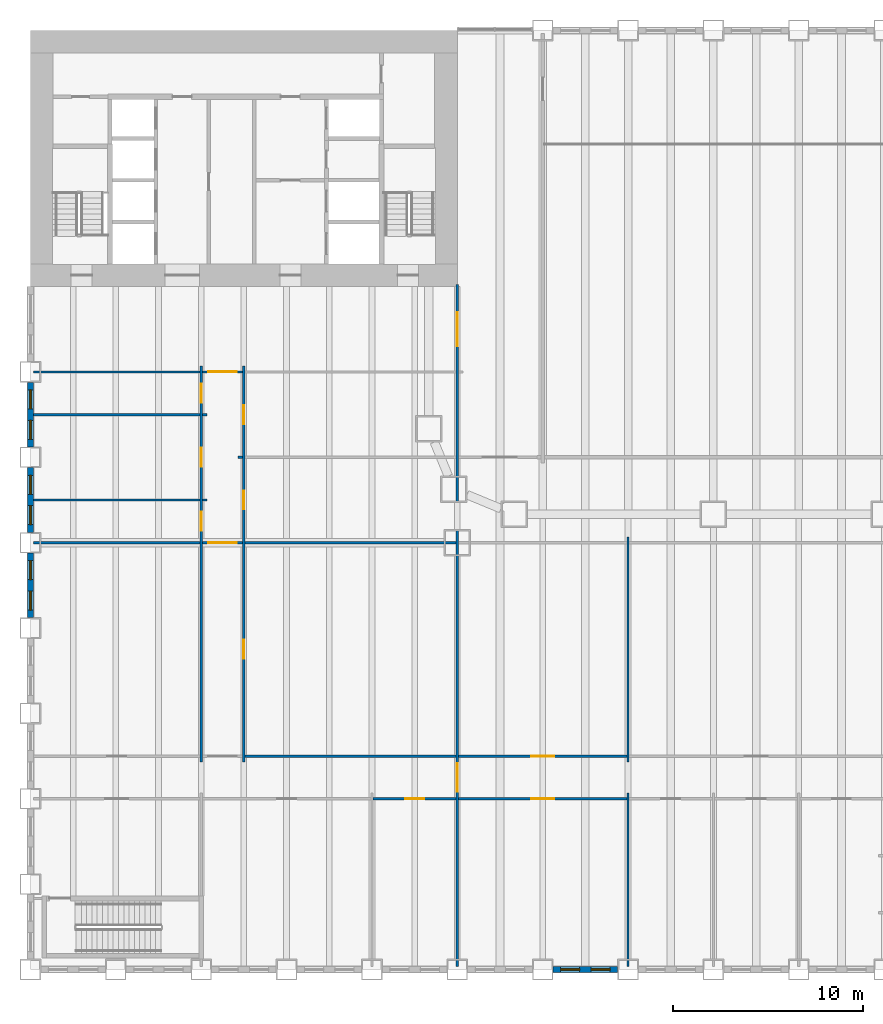
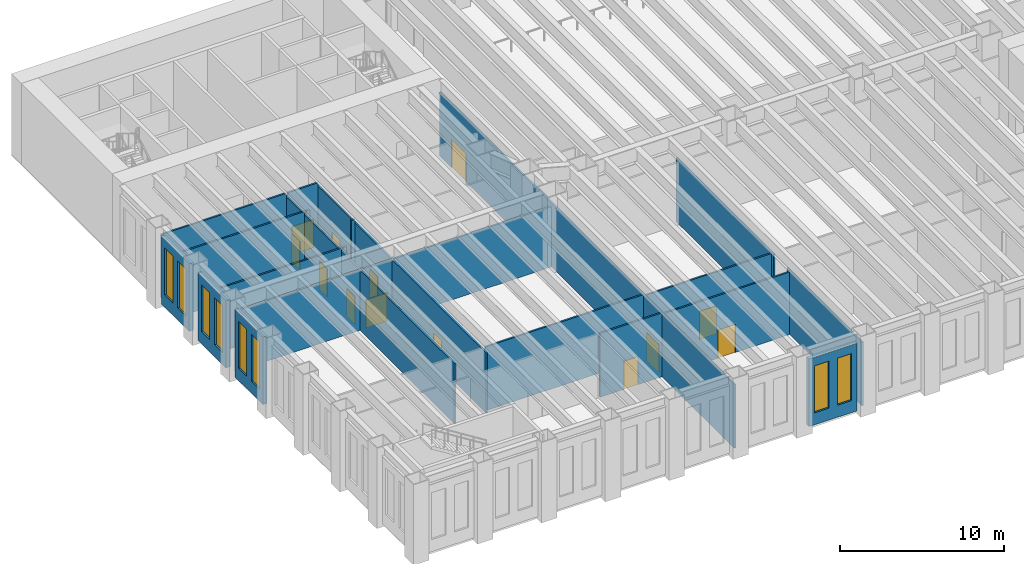
# One storey, part 7 of 19: 23 walls, 13 doors, 8 windows, 21 openings.
"""IFC4 building model written with IfcOpenShell, lengths in metres."""

from ifc_helpers import new_model, si_unit, direction, frame, frame_2d, origin, place, context, subcontext, project, spatial, rectangle, extrude, material, layer, layer_set, type_object, element, fill, save


model = new_model("IFC4")

# Units and contexts
model_context = context("Model", 3, precision=1e-05, world=origin(), true_north=direction((0.0, 1.0)))
body_context = subcontext(model_context, "Body", "Model", "MODEL_VIEW")
ifc_project = project(units=[si_unit("LENGTHUNIT", "METRE"), si_unit("AREAUNIT", "SQUARE_METRE"), si_unit("VOLUMEUNIT", "CUBIC_METRE"), si_unit("PLANEANGLEUNIT", "RADIAN"), si_unit("MASSUNIT", "GRAM", prefix="KILO")], contexts=[model_context])

# Site, building, storey
site_placement = place(None, origin())
site = spatial("IfcSite", under=ifc_project, at=site_placement, CompositionType="ELEMENT")
building_placement = place(site_placement, origin())
building = spatial("IfcBuilding", under=site, at=building_placement, Name="Sennacour Bend Tower", CompositionType="ELEMENT")
storey_placement = place(building_placement, frame((0.0, 0.0, 8.0)))
storey = spatial("IfcBuildingStorey", under=building, at=storey_placement, Name="L01", CompositionType="ELEMENT", Elevation=8.0)

# Wall, openings, doors
ifc_material_1 = material(Name="Plasterboard partition on steel studs", Category="steel")
ifc_layer_1 = layer(ifc_material_1, 0.1201171875, Name="Plasterboard partition on steel studs", Category="steel")
ifc_layer_set_1 = layer_set([ifc_layer_1], Name="Plasterboard partition on steel studs")
wall_type_1 = type_object("IfcWallType", Name="Partition 120", PredefinedType="PARTITIONING", material=ifc_layer_set_1)
wall_1_placement = place(storey_placement, frame((9.0, 10.949951171875, 0.0), z_axis=(0.0, 0.0, 1.0), x_axis=(0.0, 1.0, 0.0)))
wall_1 = element("IfcWall", 1, at=wall_1_placement, inside=storey, type_object=wall_type_1, Name="P-L01-W009a", PredefinedType="PARTITIONING", context=body_context, shape_type="SweptSolid", body=[
    extrude(rectangle(XDim=20.85009765625, YDim=0.1201171875, at=frame_2d((10.425048828125, 0.0))), origin(), (0.0, 0.0, 1.0), 4.5),
])
opening_1_placement = place(wall_1_placement, frame((12.175048828125, 0.0, 0.0)))
opening_1 = element("IfcOpeningElement", 2, at=opening_1_placement, cuts=wall_1, Name="Opening MD2", PredefinedType="OPENING", context=body_context, shape_type="SweptSolid", body=[
    extrude(rectangle(XDim=1.0, YDim=2.10009765625, at=frame_2d((0.5, 1.050048828125))), frame((0.0, 0.070068359375, 0.0), z_axis=(0.0, -1.0, 0.0), x_axis=(1.0, 0.0, 0.0)), (0.0, 0.0, 1.0), 0.14013671875),
])
opening_2_placement = place(wall_1_placement, frame((15.550048828125, 0.0, 0.0)))
opening_2 = element("IfcOpeningElement", 3, at=opening_2_placement, cuts=wall_1, Name="Opening OD2", PredefinedType="OPENING", context=body_context, shape_type="SweptSolid", body=[
    extrude(rectangle(XDim=1.0, YDim=2.10009765625, at=frame_2d((0.5, 1.050048828125))), frame((0.0, 0.070068359375, 0.0), z_axis=(0.0, -1.0, 0.0), x_axis=(1.0, 0.0, 0.0)), (0.0, 0.0, 1.0), 0.14013671875),
])
opening_3_placement = place(wall_1_placement, frame((18.925048828125, 0.0, 0.0)))
opening_3 = element("IfcOpeningElement", 4, at=opening_3_placement, cuts=wall_1, Name="Opening OD2", PredefinedType="OPENING", context=body_context, shape_type="SweptSolid", body=[
    extrude(rectangle(XDim=1.0, YDim=2.10009765625, at=frame_2d((0.5, 1.050048828125))), frame((0.0, 0.070068359375, 0.0), z_axis=(0.0, -1.0, 0.0), x_axis=(1.0, 0.0, 0.0)), (0.0, 0.0, 1.0), 0.14013671875),
])
ifc_material_2 = material(Name="Timber", Category="wood")
door_type_1 = type_object("IfcDoorType", Name="DR-MEETING-1000", OperationType="NOTDEFINED", PredefinedType="DOOR", material=ifc_material_2)
door_1_placement = place(opening_1_placement, origin())
door_1 = element("IfcDoor", 5, at=door_1_placement, inside=storey, type_object=door_type_1, Name="Door", OperationType="SINGLE_SWING_RIGHT", OverallHeight=2.10009765625, OverallWidth=1.0, PredefinedType="DOOR", context=body_context, shape_type="SweptSolid", body=[
    extrude(rectangle(XDim=1.0, YDim=2.10009765625, at=frame_2d((0.5, 1.050048828125))), frame((0.0, 0.02490234375, 0.0), z_axis=(0.0, -1.0, 0.0), x_axis=(1.0, 0.0, 0.0)), (0.0, 0.0, 1.0), 0.050048828125),
])
fill(opening_1, door_1)
door_type_2 = type_object("IfcDoorType", Name="DR-OFFICE-1000", OperationType="NOTDEFINED", PredefinedType="DOOR", material=ifc_material_2)
door_2_placement = place(opening_2_placement, origin())
door_2 = element("IfcDoor", 6, at=door_2_placement, inside=storey, type_object=door_type_2, Name="Door", OperationType="SINGLE_SWING_RIGHT", OverallHeight=2.10009765625, OverallWidth=1.0, PredefinedType="DOOR", context=body_context, shape_type="SweptSolid", body=[
    extrude(rectangle(XDim=1.0, YDim=2.10009765625, at=frame_2d((0.5, 1.050048828125))), frame((0.0, 0.02490234375, 0.0), z_axis=(0.0, -1.0, 0.0), x_axis=(1.0, 0.0, 0.0)), (0.0, 0.0, 1.0), 0.050048828125),
])
fill(opening_2, door_2)
door_3_placement = place(opening_3_placement, origin())
door_3 = element("IfcDoor", 7, at=door_3_placement, inside=storey, type_object=door_type_2, Name="Door", OperationType="SINGLE_SWING_RIGHT", OverallHeight=2.10009765625, OverallWidth=1.0, PredefinedType="DOOR", context=body_context, shape_type="SweptSolid", body=[
    extrude(rectangle(XDim=1.0, YDim=2.10009765625, at=frame_2d((0.5, 1.050048828125))), frame((0.0, 0.02490234375, 0.0), z_axis=(0.0, -1.0, 0.0), x_axis=(1.0, 0.0, 0.0)), (0.0, 0.0, 1.0), 0.050048828125),
])
fill(opening_3, door_3)

wall_2_placement = place(storey_placement, frame((11.25, 10.949951171875, 0.0), z_axis=(0.0, 0.0, 1.0), x_axis=(0.0, 1.0, 0.0)))
wall_2 = element("IfcWall", 8, at=wall_2_placement, inside=storey, type_object=wall_type_1, Name="P-L01-W011a", PredefinedType="PARTITIONING", context=body_context, shape_type="SweptSolid", body=[
    extrude(rectangle(XDim=20.85009765625, YDim=0.1201171875, at=frame_2d((10.425048828125, 0.0))), origin(), (0.0, 0.0, 1.0), 4.5),
])
opening_4_placement = place(wall_2_placement, frame((5.425048828125, 0.0, 0.0)))
opening_4 = element("IfcOpeningElement", 9, at=opening_4_placement, cuts=wall_2, Name="Opening OD2", PredefinedType="OPENING", context=body_context, shape_type="SweptSolid", body=[
    extrude(rectangle(XDim=1.0, YDim=2.10009765625, at=frame_2d((0.5, 1.050048828125))), frame((0.0, 0.070068359375, 0.0), z_axis=(0.0, -1.0, 0.0), x_axis=(1.0, 0.0, 0.0)), (0.0, 0.0, 1.0), 0.14013671875),
])
opening_5_placement = place(wall_2_placement, frame((13.300048828125, 0.0, 0.0)))
opening_5 = element("IfcOpeningElement", 10, at=opening_5_placement, cuts=wall_2, Name="Opening OD2", PredefinedType="OPENING", context=body_context, shape_type="SweptSolid", body=[
    extrude(rectangle(XDim=1.0, YDim=2.10009765625, at=frame_2d((0.5, 1.050048828125))), frame((0.0, 0.070068359375, 0.0), z_axis=(0.0, -1.0, 0.0), x_axis=(1.0, 0.0, 0.0)), (0.0, 0.0, 1.0), 0.14013671875),
])
opening_6_placement = place(wall_2_placement, frame((17.800048828125, 0.0, 0.0)))
opening_6 = element("IfcOpeningElement", 11, at=opening_6_placement, cuts=wall_2, Name="Opening OD2", PredefinedType="OPENING", context=body_context, shape_type="SweptSolid", body=[
    extrude(rectangle(XDim=1.0, YDim=2.10009765625, at=frame_2d((0.5, 1.050048828125))), frame((0.0, 0.070068359375, 0.0), z_axis=(0.0, -1.0, 0.0), x_axis=(1.0, 0.0, 0.0)), (0.0, 0.0, 1.0), 0.14013671875),
])
door_4_placement = place(opening_4_placement, origin())
door_4 = element("IfcDoor", 12, at=door_4_placement, inside=storey, type_object=door_type_2, Name="Door", OperationType="SINGLE_SWING_LEFT", OverallHeight=2.10009765625, OverallWidth=1.0, PredefinedType="DOOR", context=body_context, shape_type="SweptSolid", body=[
    extrude(rectangle(XDim=1.0, YDim=2.10009765625, at=frame_2d((0.5, 1.050048828125))), frame((0.0, 0.02490234375, 0.0), z_axis=(0.0, -1.0, 0.0), x_axis=(1.0, 0.0, 0.0)), (0.0, 0.0, 1.0), 0.050048828125),
])
fill(opening_4, door_4)
door_5_placement = place(opening_5_placement, origin())
door_5 = element("IfcDoor", 13, at=door_5_placement, inside=storey, type_object=door_type_2, Name="Door", OperationType="SINGLE_SWING_RIGHT", OverallHeight=2.10009765625, OverallWidth=1.0, PredefinedType="DOOR", context=body_context, shape_type="SweptSolid", body=[
    extrude(rectangle(XDim=1.0, YDim=2.10009765625, at=frame_2d((0.5, 1.050048828125))), frame((0.0, 0.02490234375, 0.0), z_axis=(0.0, -1.0, 0.0), x_axis=(1.0, 0.0, 0.0)), (0.0, 0.0, 1.0), 0.050048828125),
])
fill(opening_5, door_5)
door_6_placement = place(opening_6_placement, origin())
door_6 = element("IfcDoor", 14, at=door_6_placement, inside=storey, type_object=door_type_2, Name="Door", OperationType="SINGLE_SWING_RIGHT", OverallHeight=2.10009765625, OverallWidth=1.0, PredefinedType="DOOR", context=body_context, shape_type="SweptSolid", body=[
    extrude(rectangle(XDim=1.0, YDim=2.10009765625, at=frame_2d((0.5, 1.050048828125))), frame((0.0, 0.02490234375, 0.0), z_axis=(0.0, -1.0, 0.0), x_axis=(1.0, 0.0, 0.0)), (0.0, 0.0, 1.0), 0.050048828125),
])
fill(opening_6, door_6)

# Walls
wall_3_placement = place(storey_placement, frame((31.5, 0.14990234375, 0.0), z_axis=(0.0, 0.0, 1.0), x_axis=(0.0, 1.0, 0.0)))
element("IfcWall", 15, at=wall_3_placement, inside=storey, type_object=wall_type_1, Name="P-L01-W023a", PredefinedType="PARTITIONING", context=body_context, shape_type="SweptSolid", body=[
    extrude(rectangle(XDim=9.150146484375, YDim=0.1201171875, at=frame_2d((4.5751953125, 0.0))), origin(), (0.0, 0.0, 1.0), 4.7587890625),
])
wall_4_placement = place(storey_placement, frame((31.5, 10.949951171875, 0.0), z_axis=(0.0, 0.0, 1.0), x_axis=(0.0, 1.0, 0.0)))
element("IfcWall", 16, at=wall_4_placement, inside=storey, type_object=wall_type_1, Name="P-L01-W024a", PredefinedType="PARTITIONING", context=body_context, shape_type="SweptSolid", body=[
    extrude(rectangle(XDim=11.85009765625, YDim=0.1201171875, at=frame_2d((5.925048828125, 0.0))), origin(), (0.0, 0.0, 1.0), 4.7587890625),
])

# Wall, opening, door
wall_5_placement = place(storey_placement, frame((18.06005859375, 9.0, 0.0), z_axis=(0.0, 0.0, 1.0), x_axis=(1.0, 0.0, 0.0)))
wall_5 = element("IfcWall", 17, at=wall_5_placement, inside=storey, type_object=wall_type_1, Name="P-L01-W051ac", PredefinedType="PARTITIONING", context=body_context, shape_type="SweptSolid", body=[
    extrude(rectangle(XDim=4.3798828125, YDim=0.1201171875, at=frame_2d((2.18994140625, 0.0))), origin(), (0.0, 0.0, 1.0), 4.7587890625),
])
opening_7_placement = place(wall_5_placement, frame((1.68994140625, 0.0, 0.0)))
opening_7 = element("IfcOpeningElement", 18, at=opening_7_placement, cuts=wall_5, Name="Opening OD2", PredefinedType="OPENING", context=body_context, shape_type="SweptSolid", body=[
    extrude(rectangle(XDim=1.0, YDim=2.10009765625, at=frame_2d((0.5, 1.050048828125))), frame((0.0, 0.070068359375, 0.0), z_axis=(0.0, -1.0, 0.0), x_axis=(1.0, 0.0, 0.0)), (0.0, 0.0, 1.0), 0.14013671875),
])
door_7_placement = place(opening_7_placement, origin())
door_7 = element("IfcDoor", 19, at=door_7_placement, inside=storey, type_object=door_type_2, Name="Door", OperationType="SINGLE_SWING_LEFT", OverallHeight=2.10009765625, OverallWidth=1.0, PredefinedType="DOOR", context=body_context, shape_type="SweptSolid", body=[
    extrude(rectangle(XDim=1.0, YDim=2.10009765625, at=frame_2d((0.5, 1.050048828125))), frame((0.0, 0.02490234375, 0.0), z_axis=(0.0, -1.0, 0.0), x_axis=(1.0, 0.0, 0.0)), (0.0, 0.0, 1.0), 0.050048828125),
])
fill(opening_7, door_7)

wall_6_placement = place(storey_placement, frame((22.56005859375, 9.0, 0.0), z_axis=(0.0, 0.0, 1.0), x_axis=(1.0, 0.0, 0.0)))
wall_6 = element("IfcWall", 20, at=wall_6_placement, inside=storey, type_object=wall_type_1, Name="P-L01-W051ad", PredefinedType="PARTITIONING", context=body_context, shape_type="SweptSolid", body=[
    extrude(rectangle(XDim=8.8798828125, YDim=0.1201171875, at=frame_2d((4.43994140625, 0.0))), origin(), (0.0, 0.0, 1.0), 4.66015625),
])
opening_8_placement = place(wall_6_placement, frame((3.83984375, 0.0, 0.0)))
opening_8 = element("IfcOpeningElement", 21, at=opening_8_placement, cuts=wall_6, Name="Opening MD", PredefinedType="OPENING", context=body_context, shape_type="SweptSolid", body=[
    extrude(rectangle(XDim=1.199951171875, YDim=2.10009765625, at=frame_2d((0.60009765625, 1.050048828125))), frame((0.0, 0.070068359375, 0.0), z_axis=(0.0, -1.0, 0.0), x_axis=(1.0, 0.0, 0.0)), (0.0, 0.0, 1.0), 0.14013671875),
])
door_type_3 = type_object("IfcDoorType", Name="DR-MEETING-1200", OperationType="NOTDEFINED", PredefinedType="DOOR", material=ifc_material_2)
door_8_placement = place(opening_8_placement, origin())
door_8 = element("IfcDoor", 22, at=door_8_placement, inside=storey, type_object=door_type_3, Name="Door", OperationType="SINGLE_SWING_LEFT", OverallHeight=2.10009765625, OverallWidth=1.199951171875, PredefinedType="DOOR", context=body_context, shape_type="SweptSolid", body=[
    extrude(rectangle(XDim=1.199951171875, YDim=2.10009765625, at=frame_2d((0.60009765625, 1.050048828125))), frame((0.0, 0.02490234375, 0.0), z_axis=(0.0, -1.0, 0.0), x_axis=(1.0, 0.0, 0.0)), (0.0, 0.0, 1.0), 0.050048828125),
])
fill(opening_8, door_8)

# Wall
wall_7_placement = place(storey_placement, frame((11.31005859375, 11.25, 0.0), z_axis=(0.0, 0.0, 1.0), x_axis=(1.0, 0.0, 0.0)))
element("IfcWall", 23, at=wall_7_placement, inside=storey, type_object=wall_type_1, Name="P-L01-W053ac", PredefinedType="PARTITIONING", context=body_context, shape_type="SweptSolid", body=[
    extrude(rectangle(XDim=11.1298828125, YDim=0.1201171875, at=frame_2d((5.56494140625, 0.0))), origin(), (0.0, 0.0, 1.0), 4.7587890625),
])

# Wall, opening, door
wall_8_placement = place(storey_placement, frame((22.56005859375, 11.25, 0.0), z_axis=(0.0, 0.0, 1.0), x_axis=(1.0, 0.0, 0.0)))
wall_8 = element("IfcWall", 24, at=wall_8_placement, inside=storey, type_object=wall_type_1, Name="P-L01-W053ad", PredefinedType="PARTITIONING", context=body_context, shape_type="SweptSolid", body=[
    extrude(rectangle(XDim=8.8798828125, YDim=0.1201171875, at=frame_2d((4.43994140625, 0.0))), origin(), (0.0, 0.0, 1.0), 4.66015625),
])
opening_9_placement = place(wall_8_placement, frame((3.83984375, 0.0, 0.0)))
opening_9 = element("IfcOpeningElement", 25, at=opening_9_placement, cuts=wall_8, Name="Opening OD", PredefinedType="OPENING", context=body_context, shape_type="SweptSolid", body=[
    extrude(rectangle(XDim=1.199951171875, YDim=2.10009765625, at=frame_2d((0.60009765625, 1.050048828125))), frame((0.0, 0.070068359375, 0.0), z_axis=(0.0, -1.0, 0.0), x_axis=(1.0, 0.0, 0.0)), (0.0, 0.0, 1.0), 0.14013671875),
])
door_type_4 = type_object("IfcDoorType", Name="DR-OFFICE-1200", OperationType="NOTDEFINED", PredefinedType="DOOR", material=ifc_material_2)
door_9_placement = place(opening_9_placement, origin())
door_9 = element("IfcDoor", 26, at=door_9_placement, inside=storey, type_object=door_type_4, Name="Door", OperationType="SINGLE_SWING_LEFT", OverallHeight=2.10009765625, OverallWidth=1.199951171875, PredefinedType="DOOR", context=body_context, shape_type="SweptSolid", body=[
    extrude(rectangle(XDim=1.199951171875, YDim=2.10009765625, at=frame_2d((0.60009765625, 1.050048828125))), frame((0.0, 0.02490234375, 0.0), z_axis=(0.0, -1.0, 0.0), x_axis=(1.0, 0.0, 0.0)), (0.0, 0.0, 1.0), 0.050048828125),
])
fill(opening_9, door_9)

# Walls
wall_9_placement = place(storey_placement, frame((0.14990234375, 22.5, 0.0), z_axis=(0.0, 0.0, 1.0), x_axis=(1.0, 0.0, 0.0)))
element("IfcWall", 27, at=wall_9_placement, inside=storey, type_object=wall_type_1, Name="P-L01-W062aa", PredefinedType="PARTITIONING", context=body_context, shape_type="SweptSolid", body=[
    extrude(rectangle(XDim=8.7900390625, YDim=0.1201171875, at=frame_2d((4.39501953125, 0.0))), origin(), (0.0, 0.0, 1.0), 4.5),
])
wall_10_placement = place(storey_placement, frame((11.31005859375, 22.5, 0.0), z_axis=(0.0, 0.0, 1.0), x_axis=(1.0, 0.0, 0.0)))
element("IfcWall", 28, at=wall_10_placement, inside=storey, type_object=wall_type_1, Name="P-L01-W062ac", PredefinedType="PARTITIONING", context=body_context, shape_type="SweptSolid", body=[
    extrude(rectangle(XDim=11.1298828125, YDim=0.1201171875, at=frame_2d((5.56494140625, 0.0))), origin(), (0.0, 0.0, 1.0), 4.5),
])
wall_11_placement = place(storey_placement, frame((0.14990234375, 24.75, 0.0), z_axis=(0.0, 0.0, 1.0), x_axis=(1.0, 0.0, 0.0)))
element("IfcWall", 29, at=wall_11_placement, inside=storey, type_object=wall_type_1, Name="P-L01-W063aa", PredefinedType="PARTITIONING", context=body_context, shape_type="SweptSolid", body=[
    extrude(rectangle(XDim=8.7900390625, YDim=0.1201171875, at=frame_2d((4.39501953125, 0.0))), origin(), (0.0, 0.0, 1.0), 4.7587890625),
])
for number, where, z_axis, x_axis, name in (
    (30, (9.06005859375, 24.75, 0.0), (0.0, 0.0, 1.0), (1.0, 0.0, 0.0), "P-L01-W063ab"),
    (31, (10.949951171875, 27.0, 0.0), (0.0, 0.0, 1.0), (1.0, 0.0, 0.0), "P-L01-W064aa"),
):
    element("IfcWall", number, at=place(storey_placement, frame(where, z_axis=z_axis, x_axis=x_axis)), inside=storey, type_object=wall_type_1, Name=name, PredefinedType="PARTITIONING", context=body_context, shape_type="SweptSolid", body=[
        extrude(rectangle(XDim=0.239990234375, YDim=0.1201171875, at=frame_2d((0.1201171875, 0.0))), origin(), (0.0, 0.0, 1.0), 4.7587890625),
    ])
wall_12_placement = place(storey_placement, frame((0.14990234375, 29.25, 0.0), z_axis=(0.0, 0.0, 1.0), x_axis=(1.0, 0.0, 0.0)))
element("IfcWall", 32, at=wall_12_placement, inside=storey, type_object=wall_type_1, Name="P-L01-W067aa", PredefinedType="PARTITIONING", context=body_context, shape_type="SweptSolid", body=[
    extrude(rectangle(XDim=8.7900390625, YDim=0.1201171875, at=frame_2d((4.39501953125, 0.0))), origin(), (0.0, 0.0, 1.0), 4.7587890625),
])
wall_13_placement = place(storey_placement, frame((9.06005859375, 29.25, 0.0), z_axis=(0.0, 0.0, 1.0), x_axis=(1.0, 0.0, 0.0)))
element("IfcWall", 33, at=wall_13_placement, inside=storey, type_object=wall_type_1, Name="P-L01-W067ab", PredefinedType="PARTITIONING", context=body_context, shape_type="SweptSolid", body=[
    extrude(rectangle(XDim=0.239990234375, YDim=0.1201171875, at=frame_2d((0.1201171875, 0.0))), origin(), (0.0, 0.0, 1.0), 4.7587890625),
])
wall_14_placement = place(storey_placement, frame((0.14990234375, 31.5, 0.0), z_axis=(0.0, 0.0, 1.0), x_axis=(1.0, 0.0, 0.0)))
element("IfcWall", 34, at=wall_14_placement, inside=storey, type_object=wall_type_1, Name="P-L01-W068aa", PredefinedType="PARTITIONING", context=body_context, shape_type="SweptSolid", body=[
    extrude(rectangle(XDim=8.7900390625, YDim=0.1201171875, at=frame_2d((4.39501953125, 0.0))), origin(), (0.0, 0.0, 1.0), 4.7587890625),
])

# Wall, opening, door
ifc_layer_2 = layer(ifc_material_1, 0.1201171875, Name="Plasterboard partition on steel studs", Category="steel")
ifc_layer_set_2 = layer_set([ifc_layer_2], Name="Plasterboard partition on steel studs")
wall_type_2 = type_object("IfcWallType", Name="Partition 120 EI 30", PredefinedType="PARTITIONING", material=ifc_layer_set_2)
wall_15_placement = place(storey_placement, frame((9.06005859375, 22.5, 0.0), z_axis=(0.0, 0.0, 1.0), x_axis=(1.0, 0.0, 0.0)))
wall_15 = element("IfcWall", 35, at=wall_15_placement, inside=storey, type_object=wall_type_2, Name="P-L01-W062ab", PredefinedType="PARTITIONING", context=body_context, shape_type="SweptSolid", body=[
    extrude(rectangle(XDim=2.1298828125, YDim=0.1201171875, at=frame_2d((1.06494140625, 0.0))), origin(), (0.0, 0.0, 1.0), 4.5),
])
opening_10_placement = place(wall_15_placement, frame((0.31494140625, 0.0, 0.0)))
opening_10 = element("IfcOpeningElement", 36, at=opening_10_placement, cuts=wall_15, Name="Opening KD", PredefinedType="OPENING", context=body_context, shape_type="SweptSolid", body=[
    extrude(rectangle(XDim=1.5, YDim=2.10009765625, at=frame_2d((0.75, 1.050048828125))), frame((0.0, 0.070068359375, 0.0), z_axis=(0.0, -1.0, 0.0), x_axis=(1.0, 0.0, 0.0)), (0.0, 0.0, 1.0), 0.14013671875),
])
ifc_material_3 = material(Name="Painted steel", Category="steel")
door_type_5 = type_object("IfcDoorType", Name="DR-CORRIDOR-1500", OperationType="NOTDEFINED", PredefinedType="DOOR", material=ifc_material_3)
door_10_placement = place(opening_10_placement, origin())
door_10 = element("IfcDoor", 37, at=door_10_placement, inside=storey, type_object=door_type_5, Name="Door", OperationType="SINGLE_SWING_LEFT", OverallHeight=2.10009765625, OverallWidth=1.5, PredefinedType="DOOR", context=body_context, shape_type="SweptSolid", body=[
    extrude(rectangle(XDim=1.5, YDim=2.10009765625, at=frame_2d((0.75, 1.050048828125))), frame((0.0, 0.02490234375, 0.0), z_axis=(0.0, -1.0, 0.0), x_axis=(1.0, 0.0, 0.0)), (0.0, 0.0, 1.0), 0.050048828125),
])
fill(opening_10, door_10)

wall_16_placement = place(storey_placement, frame((9.06005859375, 31.5, 0.0), z_axis=(0.0, 0.0, 1.0), x_axis=(1.0, 0.0, 0.0)))
wall_16 = element("IfcWall", 38, at=wall_16_placement, inside=storey, type_object=wall_type_2, Name="P-L01-W068ab", PredefinedType="PARTITIONING", context=body_context, shape_type="SweptSolid", body=[
    extrude(rectangle(XDim=2.1298828125, YDim=0.1201171875, at=frame_2d((1.06494140625, 0.0))), origin(), (0.0, 0.0, 1.0), 4.7587890625),
])
opening_11_placement = place(wall_16_placement, frame((0.31494140625, 0.0, 0.0)))
opening_11 = element("IfcOpeningElement", 39, at=opening_11_placement, cuts=wall_16, Name="Opening KD", PredefinedType="OPENING", context=body_context, shape_type="SweptSolid", body=[
    extrude(rectangle(XDim=1.5, YDim=2.10009765625, at=frame_2d((0.75, 1.050048828125))), frame((0.0, 0.070068359375, 0.0), z_axis=(0.0, -1.0, 0.0), x_axis=(1.0, 0.0, 0.0)), (0.0, 0.0, 1.0), 0.14013671875),
])
door_11_placement = place(opening_11_placement, origin())
door_11 = element("IfcDoor", 40, at=door_11_placement, inside=storey, type_object=door_type_5, Name="Door", OperationType="SINGLE_SWING_LEFT", OverallHeight=2.10009765625, OverallWidth=1.5, PredefinedType="DOOR", context=body_context, shape_type="SweptSolid", body=[
    extrude(rectangle(XDim=1.5, YDim=2.10009765625, at=frame_2d((0.75, 1.050048828125))), frame((0.0, 0.02490234375, 0.0), z_axis=(0.0, -1.0, 0.0), x_axis=(1.0, 0.0, 0.0)), (0.0, 0.0, 1.0), 0.050048828125),
])
fill(opening_11, door_11)

# Wall, openings, doors
ifc_layer_3 = layer(ifc_material_1, 0.1201171875, Name="Plasterboard partition on steel studs", Category="steel")
ifc_layer_set_3 = layer_set([ifc_layer_3], Name="Plasterboard partition on steel studs")
wall_type_3 = type_object("IfcWallType", Name="Partition 120 EI 60", PredefinedType="PARTITIONING", material=ifc_layer_set_3)
wall_17_placement = place(storey_placement, frame((22.5, 0.14990234375, 0.0), z_axis=(0.0, 0.0, 1.0), x_axis=(0.0, 1.0, 0.0)))
wall_17 = element("IfcWall", 41, at=wall_17_placement, inside=storey, type_object=wall_type_3, Name="P-L01-W021a", PredefinedType="PARTITIONING", context=body_context, shape_type="SweptSolid", body=[
    extrude(rectangle(XDim=35.9501953125, YDim=0.1201171875, at=frame_2d((17.97509765625, 0.0))), origin(), (0.0, 0.0, 1.0), 4.7587890625),
])
opening_12_placement = place(wall_17_placement, frame((9.22509765625, 0.0, 0.0)))
opening_12 = element("IfcOpeningElement", 42, at=opening_12_placement, cuts=wall_17, Name="Opening KD", PredefinedType="OPENING", context=body_context, shape_type="SweptSolid", body=[
    extrude(rectangle(XDim=1.5, YDim=2.10009765625, at=frame_2d((0.75, 1.050048828125))), frame((0.0, 0.070068359375, 0.0), z_axis=(0.0, -1.0, 0.0), x_axis=(1.0, 0.0, 0.0)), (0.0, 0.0, 1.0), 0.14013671875),
])
opening_13_placement = place(wall_17_placement, frame((32.7001953125, 0.0, 0.0)))
opening_13 = element("IfcOpeningElement", 43, at=opening_13_placement, cuts=wall_17, Name="Opening CD", PredefinedType="OPENING", context=body_context, shape_type="SweptSolid", body=[
    extrude(rectangle(XDim=1.800048828125, YDim=2.10009765625, at=frame_2d((0.89990234375, 1.050048828125))), frame((0.0, 0.070068359375, 0.0), z_axis=(0.0, -1.0, 0.0), x_axis=(1.0, 0.0, 0.0)), (0.0, 0.0, 1.0), 0.14013671875),
])
door_12_placement = place(opening_12_placement, origin())
door_12 = element("IfcDoor", 44, at=door_12_placement, inside=storey, type_object=door_type_5, Name="Door", OperationType="SINGLE_SWING_LEFT", OverallHeight=2.10009765625, OverallWidth=1.5, PredefinedType="DOOR", context=body_context, shape_type="SweptSolid", body=[
    extrude(rectangle(XDim=1.5, YDim=2.10009765625, at=frame_2d((0.75, 1.050048828125))), frame((0.0, 0.02490234375, 0.0), z_axis=(0.0, -1.0, 0.0), x_axis=(1.0, 0.0, 0.0)), (0.0, 0.0, 1.0), 0.050048828125),
])
fill(opening_12, door_12)
door_type_6 = type_object("IfcDoorType", Name="DR-LOBBY-1800", OperationType="NOTDEFINED", PredefinedType="DOOR", material=ifc_material_3)
door_13_placement = place(opening_13_placement, origin())
door_13 = element("IfcDoor", 45, at=door_13_placement, inside=storey, type_object=door_type_6, Name="Door", OperationType="DOUBLE_DOOR_SINGLE_SWING", OverallHeight=2.10009765625, OverallWidth=1.800048828125, PredefinedType="DOOR", context=body_context, shape_type="SweptSolid", body=[
    extrude(rectangle(XDim=1.800048828125, YDim=2.10009765625, at=frame_2d((0.89990234375, 1.050048828125))), frame((0.0, 0.02490234375, 0.0), z_axis=(0.0, -1.0, 0.0), x_axis=(1.0, 0.0, 0.0)), (0.0, 0.0, 1.0), 0.050048828125),
])
fill(opening_13, door_13)

# Wall, openings, windows
ifc_material_4 = material(Name="Warm limestone cladding", Category="masonry")
ifc_layer_4 = layer(ifc_material_4, 0.050048828125, Name="Warm limestone cladding", Category="masonry")
ifc_material_5 = material(Name="Precast concrete C40/50", Category="concrete")
ifc_layer_5 = layer(ifc_material_5, 0.25, Name="Precast concrete C40/50", Category="concrete")
ifc_layer_set_4 = layer_set([ifc_layer_4, ifc_layer_5], Name="Precast concrete C40/50 with limestone cladding")
wall_type_4 = type_object("IfcWallType", Name="STONE-CLAD PRECAST SPANDREL 300", PredefinedType="STANDARD", material=ifc_layer_set_4)
wall_18_placement = place(storey_placement, frame((0.0, 30.949951171875, 0.0), z_axis=(0.0, 0.0, 1.0), x_axis=(0.0, -1.0, 0.0)))
wall_18 = element("IfcWall", 46, at=wall_18_placement, inside=storey, type_object=wall_type_4, Name="Stone spandrel and pier wall L01 02.01", PredefinedType="STANDARD", context=body_context, shape_type="SweptSolid", body=[
    extrude(rectangle(XDim=3.39990234375, YDim=0.300048828125, at=frame_2d((1.699951171875, 0.0))), origin(), (0.0, 0.0, 1.0), 5.035888671875),
])
opening_14_placement = place(wall_18_placement, frame((0.39990234375, 0.0, 0.89990234375)))
opening_14 = element("IfcOpeningElement", 47, at=opening_14_placement, cuts=wall_18, Name="Opening W1", PredefinedType="OPENING", context=body_context, shape_type="SweptSolid", body=[
    extrude(rectangle(XDim=1.0, YDim=3.5, at=frame_2d((0.5, 1.75))), frame((0.0, 0.16015625, 0.0), z_axis=(0.0, -1.0, 0.0), x_axis=(1.0, 0.0, 0.0)), (0.0, 0.0, 1.0), 0.320068359375),
])
opening_15_placement = place(wall_18_placement, frame((2.0, 0.0, 0.89990234375)))
opening_15 = element("IfcOpeningElement", 48, at=opening_15_placement, cuts=wall_18, Name="Opening W1", PredefinedType="OPENING", context=body_context, shape_type="SweptSolid", body=[
    extrude(rectangle(XDim=1.0, YDim=3.5, at=frame_2d((0.5, 1.75))), frame((0.0, 0.16015625, 0.0), z_axis=(0.0, -1.0, 0.0), x_axis=(1.0, 0.0, 0.0)), (0.0, 0.0, 1.0), 0.320068359375),
])
ifc_material_6 = material(Name="Clear low-emissivity glass", Category="glass")
window_type = type_object("IfcWindowType", Name="WIN-RIBBON-1000x3500", PartitioningType="SINGLE_PANEL", PredefinedType="WINDOW", material=ifc_material_6)
window_1_placement = place(opening_14_placement, origin())
window_1 = element("IfcWindow", 49, at=window_1_placement, inside=storey, type_object=window_type, Name="Ribbon window L01 02.01.0", OverallHeight=3.5, OverallWidth=1.0, PartitioningType="SINGLE_PANEL", PredefinedType="WINDOW", context=body_context, shape_type="SweptSolid", body=[
    extrude(rectangle(XDim=1.0, YDim=3.5, at=frame_2d((0.5, 1.75))), frame((0.0, 0.030029296875, 0.0), z_axis=(0.0, -1.0, 0.0), x_axis=(1.0, 0.0, 0.0)), (0.0, 0.0, 1.0), 0.06005859375),
])
fill(opening_14, window_1)
window_2_placement = place(opening_15_placement, origin())
window_2 = element("IfcWindow", 50, at=window_2_placement, inside=storey, type_object=window_type, Name="Ribbon window L01 02.01.1", OverallHeight=3.5, OverallWidth=1.0, PartitioningType="SINGLE_PANEL", PredefinedType="WINDOW", context=body_context, shape_type="SweptSolid", body=[
    extrude(rectangle(XDim=1.0, YDim=3.5, at=frame_2d((0.5, 1.75))), frame((0.0, 0.030029296875, 0.0), z_axis=(0.0, -1.0, 0.0), x_axis=(1.0, 0.0, 0.0)), (0.0, 0.0, 1.0), 0.06005859375),
])
fill(opening_15, window_2)

wall_19_placement = place(storey_placement, frame((0.0, 26.449951171875, 0.0), z_axis=(0.0, 0.0, 1.0), x_axis=(0.0, -1.0, 0.0)))
wall_19 = element("IfcWall", 51, at=wall_19_placement, inside=storey, type_object=wall_type_4, Name="Stone spandrel and pier wall L01 02.02", PredefinedType="STANDARD", context=body_context, shape_type="SweptSolid", body=[
    extrude(rectangle(XDim=3.39990234375, YDim=0.300048828125, at=frame_2d((1.699951171875, 0.0))), origin(), (0.0, 0.0, 1.0), 5.035888671875),
])
opening_16_placement = place(wall_19_placement, frame((0.39990234375, 0.0, 0.89990234375)))
opening_16 = element("IfcOpeningElement", 52, at=opening_16_placement, cuts=wall_19, Name="Opening W1", PredefinedType="OPENING", context=body_context, shape_type="SweptSolid", body=[
    extrude(rectangle(XDim=1.0, YDim=3.5, at=frame_2d((0.5, 1.75))), frame((0.0, 0.16015625, 0.0), z_axis=(0.0, -1.0, 0.0), x_axis=(1.0, 0.0, 0.0)), (0.0, 0.0, 1.0), 0.320068359375),
])
opening_17_placement = place(wall_19_placement, frame((2.0, 0.0, 0.89990234375)))
opening_17 = element("IfcOpeningElement", 53, at=opening_17_placement, cuts=wall_19, Name="Opening W1", PredefinedType="OPENING", context=body_context, shape_type="SweptSolid", body=[
    extrude(rectangle(XDim=1.0, YDim=3.5, at=frame_2d((0.5, 1.75))), frame((0.0, 0.16015625, 0.0), z_axis=(0.0, -1.0, 0.0), x_axis=(1.0, 0.0, 0.0)), (0.0, 0.0, 1.0), 0.320068359375),
])
window_3_placement = place(opening_16_placement, origin())
window_3 = element("IfcWindow", 54, at=window_3_placement, inside=storey, type_object=window_type, Name="Ribbon window L01 02.02.0", OverallHeight=3.5, OverallWidth=1.0, PartitioningType="SINGLE_PANEL", PredefinedType="WINDOW", context=body_context, shape_type="SweptSolid", body=[
    extrude(rectangle(XDim=1.0, YDim=3.5, at=frame_2d((0.5, 1.75))), frame((0.0, 0.030029296875, 0.0), z_axis=(0.0, -1.0, 0.0), x_axis=(1.0, 0.0, 0.0)), (0.0, 0.0, 1.0), 0.06005859375),
])
fill(opening_16, window_3)
window_4_placement = place(opening_17_placement, origin())
window_4 = element("IfcWindow", 55, at=window_4_placement, inside=storey, type_object=window_type, Name="Ribbon window L01 02.02.1", OverallHeight=3.5, OverallWidth=1.0, PartitioningType="SINGLE_PANEL", PredefinedType="WINDOW", context=body_context, shape_type="SweptSolid", body=[
    extrude(rectangle(XDim=1.0, YDim=3.5, at=frame_2d((0.5, 1.75))), frame((0.0, 0.030029296875, 0.0), z_axis=(0.0, -1.0, 0.0), x_axis=(1.0, 0.0, 0.0)), (0.0, 0.0, 1.0), 0.06005859375),
])
fill(opening_17, window_4)

wall_20_placement = place(storey_placement, frame((0.0, 21.949951171875, 0.0), z_axis=(0.0, 0.0, 1.0), x_axis=(0.0, -1.0, 0.0)))
wall_20 = element("IfcWall", 56, at=wall_20_placement, inside=storey, type_object=wall_type_4, Name="Stone spandrel and pier wall L01 02.03", PredefinedType="STANDARD", context=body_context, shape_type="SweptSolid", body=[
    extrude(rectangle(XDim=3.39990234375, YDim=0.300048828125, at=frame_2d((1.699951171875, 0.0))), origin(), (0.0, 0.0, 1.0), 5.035888671875),
])
opening_18_placement = place(wall_20_placement, frame((0.39990234375, 0.0, 0.89990234375)))
opening_18 = element("IfcOpeningElement", 57, at=opening_18_placement, cuts=wall_20, Name="Opening W1", PredefinedType="OPENING", context=body_context, shape_type="SweptSolid", body=[
    extrude(rectangle(XDim=1.0, YDim=3.5, at=frame_2d((0.5, 1.75))), frame((0.0, 0.16015625, 0.0), z_axis=(0.0, -1.0, 0.0), x_axis=(1.0, 0.0, 0.0)), (0.0, 0.0, 1.0), 0.320068359375),
])
opening_19_placement = place(wall_20_placement, frame((2.0, 0.0, 0.89990234375)))
opening_19 = element("IfcOpeningElement", 58, at=opening_19_placement, cuts=wall_20, Name="Opening W1", PredefinedType="OPENING", context=body_context, shape_type="SweptSolid", body=[
    extrude(rectangle(XDim=1.0, YDim=3.5, at=frame_2d((0.5, 1.75))), frame((0.0, 0.16015625, 0.0), z_axis=(0.0, -1.0, 0.0), x_axis=(1.0, 0.0, 0.0)), (0.0, 0.0, 1.0), 0.320068359375),
])
window_5_placement = place(opening_18_placement, origin())
window_5 = element("IfcWindow", 59, at=window_5_placement, inside=storey, type_object=window_type, Name="Ribbon window L01 02.03.0", OverallHeight=3.5, OverallWidth=1.0, PartitioningType="SINGLE_PANEL", PredefinedType="WINDOW", context=body_context, shape_type="SweptSolid", body=[
    extrude(rectangle(XDim=1.0, YDim=3.5, at=frame_2d((0.5, 1.75))), frame((0.0, 0.030029296875, 0.0), z_axis=(0.0, -1.0, 0.0), x_axis=(1.0, 0.0, 0.0)), (0.0, 0.0, 1.0), 0.06005859375),
])
fill(opening_18, window_5)
window_6_placement = place(opening_19_placement, origin())
window_6 = element("IfcWindow", 60, at=window_6_placement, inside=storey, type_object=window_type, Name="Ribbon window L01 02.03.1", OverallHeight=3.5, OverallWidth=1.0, PartitioningType="SINGLE_PANEL", PredefinedType="WINDOW", context=body_context, shape_type="SweptSolid", body=[
    extrude(rectangle(XDim=1.0, YDim=3.5, at=frame_2d((0.5, 1.75))), frame((0.0, 0.030029296875, 0.0), z_axis=(0.0, -1.0, 0.0), x_axis=(1.0, 0.0, 0.0)), (0.0, 0.0, 1.0), 0.06005859375),
])
fill(opening_19, window_6)

wall_21_placement = place(storey_placement, frame((27.550048828125, 0.0, 0.0), z_axis=(0.0, 0.0, 1.0), x_axis=(1.0, 0.0, 0.0)))
wall_21 = element("IfcWall", 61, at=wall_21_placement, inside=storey, type_object=wall_type_4, Name="Stone spandrel and pier wall L01 03.06", PredefinedType="STANDARD", context=body_context, shape_type="SweptSolid", body=[
    extrude(rectangle(XDim=3.39990234375, YDim=0.300048828125, at=frame_2d((1.699951171875, 0.0))), origin(), (0.0, 0.0, 1.0), 5.035888671875),
])
opening_20_placement = place(wall_21_placement, frame((0.39990234375, 0.0, 0.89990234375)))
opening_20 = element("IfcOpeningElement", 62, at=opening_20_placement, cuts=wall_21, Name="Opening W1", PredefinedType="OPENING", context=body_context, shape_type="SweptSolid", body=[
    extrude(rectangle(XDim=1.0, YDim=3.5, at=frame_2d((0.5, 1.75))), frame((0.0, 0.16015625, 0.0), z_axis=(0.0, -1.0, 0.0), x_axis=(1.0, 0.0, 0.0)), (0.0, 0.0, 1.0), 0.320068359375),
])
opening_21_placement = place(wall_21_placement, frame((2.0, 0.0, 0.89990234375)))
opening_21 = element("IfcOpeningElement", 63, at=opening_21_placement, cuts=wall_21, Name="Opening W1", PredefinedType="OPENING", context=body_context, shape_type="SweptSolid", body=[
    extrude(rectangle(XDim=1.0, YDim=3.5, at=frame_2d((0.5, 1.75))), frame((0.0, 0.16015625, 0.0), z_axis=(0.0, -1.0, 0.0), x_axis=(1.0, 0.0, 0.0)), (0.0, 0.0, 1.0), 0.320068359375),
])
window_7_placement = place(opening_20_placement, origin())
window_7 = element("IfcWindow", 64, at=window_7_placement, inside=storey, type_object=window_type, Name="Ribbon window L01 03.06.0", OverallHeight=3.5, OverallWidth=1.0, PartitioningType="SINGLE_PANEL", PredefinedType="WINDOW", context=body_context, shape_type="SweptSolid", body=[
    extrude(rectangle(XDim=1.0, YDim=3.5, at=frame_2d((0.5, 1.75))), frame((0.0, 0.030029296875, 0.0), z_axis=(0.0, -1.0, 0.0), x_axis=(1.0, 0.0, 0.0)), (0.0, 0.0, 1.0), 0.06005859375),
])
fill(opening_20, window_7)
window_8_placement = place(opening_21_placement, origin())
window_8 = element("IfcWindow", 65, at=window_8_placement, inside=storey, type_object=window_type, Name="Ribbon window L01 03.06.1", OverallHeight=3.5, OverallWidth=1.0, PartitioningType="SINGLE_PANEL", PredefinedType="WINDOW", context=body_context, shape_type="SweptSolid", body=[
    extrude(rectangle(XDim=1.0, YDim=3.5, at=frame_2d((0.5, 1.75))), frame((0.0, 0.030029296875, 0.0), z_axis=(0.0, -1.0, 0.0), x_axis=(1.0, 0.0, 0.0)), (0.0, 0.0, 1.0), 0.06005859375),
])
fill(opening_21, window_8)

save(model, "model.ifc")
